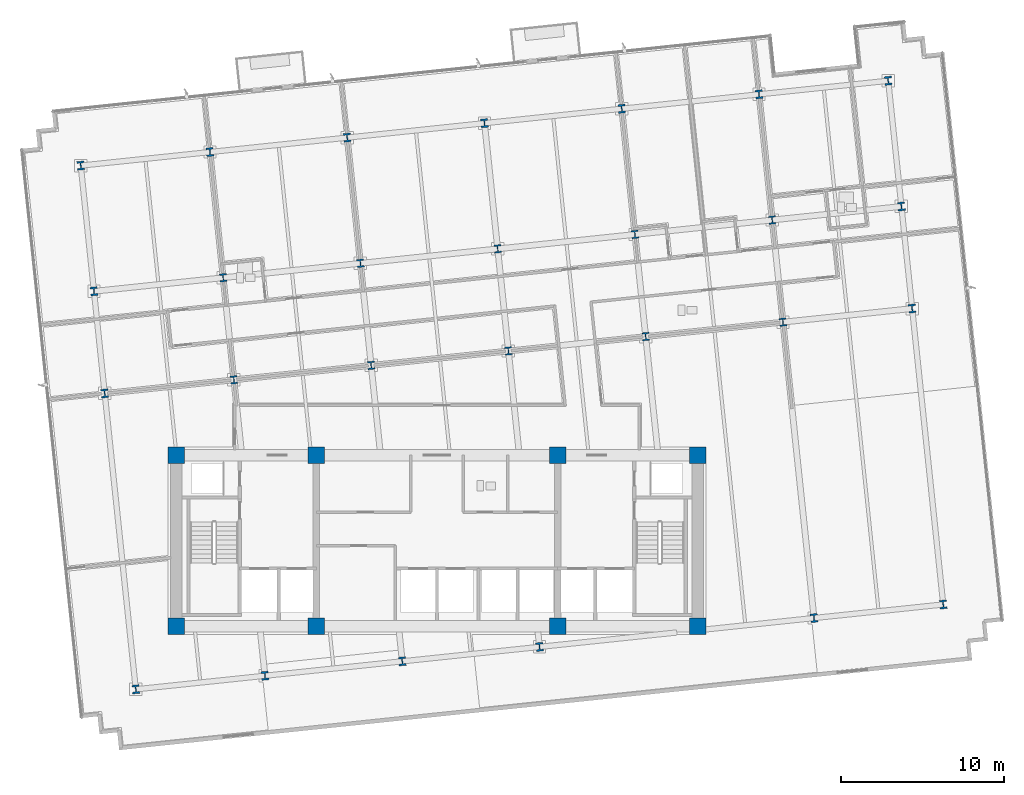
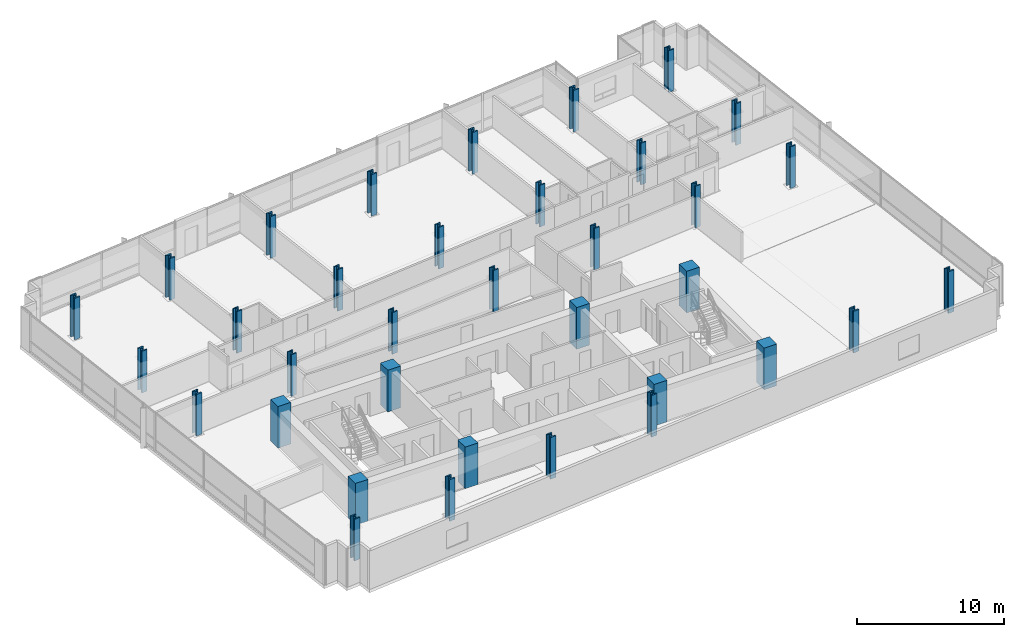
# One storey, part 1 of 21: 35 columns.
"""IFC4 building model written with IfcOpenShell, lengths in metres."""

from ifc_helpers import new_model, si_unit, direction, frame, origin, origin_2d, place, context, subcontext, project, spatial, rectangle, i_section, extrude, material, material_profile, profile_set, type_object, element, save


model = new_model("IFC4")

# Units and contexts
model_context = context("Model", 3, precision=1e-05, world=origin(), true_north=direction((0.0, 1.0)))
body_context = subcontext(model_context, "Body", "Model", "MODEL_VIEW")
ifc_project = project(units=[si_unit("LENGTHUNIT", "METRE"), si_unit("AREAUNIT", "SQUARE_METRE"), si_unit("VOLUMEUNIT", "CUBIC_METRE"), si_unit("PLANEANGLEUNIT", "RADIAN"), si_unit("MASSUNIT", "GRAM", prefix="KILO")], contexts=[model_context])

# Site, building, storey
site_placement = place(None, origin())
site = spatial("IfcSite", under=ifc_project, at=site_placement, CompositionType="ELEMENT")
building_placement = place(site_placement, origin())
building = spatial("IfcBuilding", under=site, at=building_placement, Name="Solmavex Isthmus Hotel", CompositionType="ELEMENT")
storey_placement = place(building_placement, frame((0.0, 0.0, 113.25)))
storey = spatial("IfcBuildingStorey", under=building, at=storey_placement, Name="L30", CompositionType="ELEMENT", Elevation=113.25)

# Columns
ifc_material_1 = material(Name="Concrete C60/75", Category="concrete")
ifc_material_profile_1 = material_profile(ifc_material_1, rectangle(XDim=1.0, YDim=1.0, at=origin_2d()), Name="RC1000X1000")
ifc_profile_set_1 = profile_set([ifc_material_profile_1], Name="Concrete C60/75")
column_type_1 = type_object("IfcColumnType", Name="COL-CC-1000", PredefinedType="COLUMN", material=ifc_profile_set_1)
for number, where, z_axis, x_axis, name in (
    (1, (-16.0, -13.0, 0.0), (0.0, 0.0, 1.0), (1.0, 0.0, 0.0), "Core Pilaster CC-SW L30"),
    (2, (-7.39990234375, -13.0, 0.0), (0.0, 0.0, 1.0), (1.0, 0.0, 0.0), "Core Pilaster CC-S1 L30"),
    (3, (7.39990234375, -13.0, 0.0), (0.0, 0.0, 1.0), (1.0, 0.0, 0.0), "Core Pilaster CC-S2 L30"),
    (4, (16.0, -13.0, 0.0), (0.0, 0.0, 1.0), (1.0, 0.0, 0.0), "Core Pilaster CC-SE L30"),
    (5, (-16.0, -2.5, 0.0), (0.0, 0.0, 1.0), (1.0, 0.0, 0.0), "Core Pilaster CC-NW L30"),
    (6, (-7.39990234375, -2.5, 0.0), (0.0, 0.0, 1.0), (1.0, 0.0, 0.0), "Core Pilaster CC-N1 L30"),
    (7, (7.39990234375, -2.5, 0.0), (0.0, 0.0, 1.0), (1.0, 0.0, 0.0), "Core Pilaster CC-N2 L30"),
    (8, (16.0, -2.5, 0.0), (0.0, 0.0, 1.0), (1.0, 0.0, 0.0), "Core Pilaster CC-NE L30"),
):
    element("IfcColumn", number, at=place(storey_placement, frame(where, z_axis=z_axis, x_axis=x_axis)), inside=storey, type_object=column_type_1, Name=name, PredefinedType="COLUMN", context=body_context, shape_type="SweptSolid", body=[
        extrude(rectangle(XDim=1.0, YDim=1.0, at=origin_2d()), origin(), (0.0, 0.0, 1.0), 3.449951171875),
    ])
ifc_material_2 = material(Name="Steel ASTM A913 Grade 65", Category="steel")
ifc_material_profile_2 = material_profile(ifc_material_2, i_section(OverallWidth=0.43212890625, OverallDepth=0.497802734375, WebThickness=0.0556640625, FlangeThickness=0.0888671875, FilletRadius=0.030517578125, at=origin_2d()), Name="W14X500")
ifc_profile_set_2 = profile_set([ifc_material_profile_2], Name="Steel ASTM A913 Grade 65")
column_type_2 = type_object("IfcColumnType", Name="COL-SC-W14X500", PredefinedType="COLUMN", material=ifc_profile_set_2)
for number, where, z_axis, x_axis, name in (
    (9, (-12.458740234375, 2.11865234375, 0.0), (0.0, 0.0, 1.0), (0.994521895368, 0.104528463268, 0.0), "Tower Column B2-U2V2 L30"),
    (10, (-13.1171875, 8.382080078125, 0.0), (0.0, 0.0, 1.0), (0.994521895368, 0.104528463268, 0.0), "Tower Column B2-U2V3 L30"),
    (11, (-4.0390625, 3.003662109375, 0.0), (0.0, 0.0, 1.0), (0.994521895368, 0.104528463268, 0.0), "Tower Column B2-U3V2 L30"),
    (12, (-4.697509765625, 9.26708984375, 0.0), (0.0, 0.0, 1.0), (0.994521895368, 0.104528463268, 0.0), "Tower Column B2-U3V3 L30"),
    (13, (4.38037109375, 3.888427734375, 0.0), (0.0, 0.0, 1.0), (0.994521895368, 0.104528463268, 0.0), "Tower Column B2-U4V2 L30"),
    (14, (3.72216796875, 10.152099609375, 0.0), (0.0, 0.0, 1.0), (0.994521895368, 0.104528463268, 0.0), "Tower Column B2-U4V3 L30"),
    (15, (12.800048828125, 4.7734375, 0.0), (0.0, 0.0, 1.0), (0.994521895368, 0.104528463268, 0.0), "Tower Column B2-U5V2 L30"),
    (16, (12.141845703125, 11.036865234375, 0.0), (0.0, 0.0, 1.0), (0.994521895368, 0.104528463268, 0.0), "Tower Column B2-U5V3 L30"),
    (17, (21.2197265625, 5.658447265625, 0.0), (0.0, 0.0, 1.0), (0.994521895368, 0.104528463268, 0.0), "Tower Column B2-U6V2 L30"),
    (18, (20.5615234375, 11.921875, 0.0), (0.0, 0.0, 1.0), (0.994521895368, 0.104528463268, 0.0), "Tower Column B2-U6V3 L30"),
):
    element("IfcColumn", number, at=place(storey_placement, frame(where, z_axis=z_axis, x_axis=x_axis)), inside=storey, type_object=column_type_2, Name=name, PredefinedType="COLUMN", context=body_context, shape_type="SweptSolid", body=[
        extrude(i_section(OverallWidth=0.43212890625, OverallDepth=0.497802734375, WebThickness=0.0556640625, FlangeThickness=0.0888671875, FilletRadius=0.030517578125, at=origin_2d()), origin(), (0.0, 0.0, 1.0), 3.449951171875),
    ])
ifc_material_profile_3 = material_profile(ifc_material_2, i_section(OverallWidth=0.442138671875, OverallDepth=0.531494140625, WebThickness=0.06591796875, FlangeThickness=0.105712890625, FilletRadius=0.030517578125, at=origin_2d()), Name="W14X605")
ifc_profile_set_3 = profile_set([ifc_material_profile_3], Name="Steel ASTM A913 Grade 65")
column_type_3 = type_object("IfcColumnType", Name="COL-SC-W14X605", PredefinedType="COLUMN", material=ifc_profile_set_3)
for number, where, z_axis, x_axis, name in (
    (19, (-18.475341796875, -16.8642578125, 0.0), (0.0, 0.0, 1.0), (0.994521895368, 0.104528463268, 0.0), "Tower Column B2-U1V1 L30"),
    (20, (-20.383056640625, 1.28564453125, 0.0), (0.0, 0.0, 1.0), (0.994521895368, 0.104528463268, 0.0), "Tower Column B2-U1V2 L30"),
    (21, (-21.04150390625, 7.54931640625, 0.0), (0.0, 0.0, 1.0), (0.994521895368, 0.104528463268, 0.0), "Tower Column B2-U1V3 L30"),
    (22, (-21.851806640625, 15.2587890625, 0.0), (0.0, 0.0, 1.0), (0.994521895368, 0.104528463268, 0.0), "Tower Column B2-U1V4 L30"),
    (23, (-10.551025390625, -16.031494140625, 0.0), (0.0, 0.0, 1.0), (0.994521895368, 0.104528463268, 0.0), "Tower Column B2-U2V1 L30"),
    (24, (-13.927490234375, 16.091552734375, 0.0), (0.0, 0.0, 1.0), (0.994521895368, 0.104528463268, 0.0), "Tower Column B2-U2V4 L30"),
    (25, (-2.131591796875, -15.146484375, 0.0), (0.0, 0.0, 1.0), (0.994521895368, 0.104528463268, 0.0), "Tower Column B2-U3V1 L30"),
    (26, (-5.5078125, 16.9765625, 0.0), (0.0, 0.0, 1.0), (0.994521895368, 0.104528463268, 0.0), "Tower Column B2-U3V4 L30"),
    (27, (6.2880859375, -14.261474609375, 0.0), (0.0, 0.0, 1.0), (0.994521895368, 0.104528463268, 0.0), "Tower Column B2-U4V1 L30"),
    (28, (2.911865234375, 17.861572265625, 0.0), (0.0, 0.0, 1.0), (0.994521895368, 0.104528463268, 0.0), "Tower Column B2-U4V4 L30"),
    (29, (11.33154296875, 18.74658203125, 0.0), (0.0, 0.0, 1.0), (0.994521895368, 0.104528463268, 0.0), "Tower Column B2-U5V4 L30"),
    (30, (23.12744140625, -12.49169921875, 0.0), (0.0, 0.0, 1.0), (0.994521895368, 0.104528463268, 0.0), "Tower Column B2-U6V1 L30"),
    (31, (19.751220703125, 19.63134765625, 0.0), (0.0, 0.0, 1.0), (0.994521895368, 0.104528463268, 0.0), "Tower Column B2-U6V4 L30"),
    (32, (31.0517578125, -11.65869140625, 0.0), (0.0, 0.0, 1.0), (0.994521895368, 0.104528463268, 0.0), "Tower Column B2-U7V1 L30"),
    (33, (29.14404296875, 6.4912109375, 0.0), (0.0, 0.0, 1.0), (0.994521895368, 0.104528463268, 0.0), "Tower Column B2-U7V2 L30"),
    (34, (28.48583984375, 12.754638671875, 0.0), (0.0, 0.0, 1.0), (0.994521895368, 0.104528463268, 0.0), "Tower Column B2-U7V3 L30"),
    (35, (27.675537109375, 20.46435546875, 0.0), (0.0, 0.0, 1.0), (0.994521895368, 0.104528463268, 0.0), "Tower Column B2-U7V4 L30"),
):
    element("IfcColumn", number, at=place(storey_placement, frame(where, z_axis=z_axis, x_axis=x_axis)), inside=storey, type_object=column_type_3, Name=name, PredefinedType="COLUMN", context=body_context, shape_type="SweptSolid", body=[
        extrude(i_section(OverallWidth=0.442138671875, OverallDepth=0.531494140625, WebThickness=0.06591796875, FlangeThickness=0.105712890625, FilletRadius=0.030517578125, at=origin_2d()), origin(), (0.0, 0.0, 1.0), 3.449951171875),
    ])

save(model, "model.ifc")
